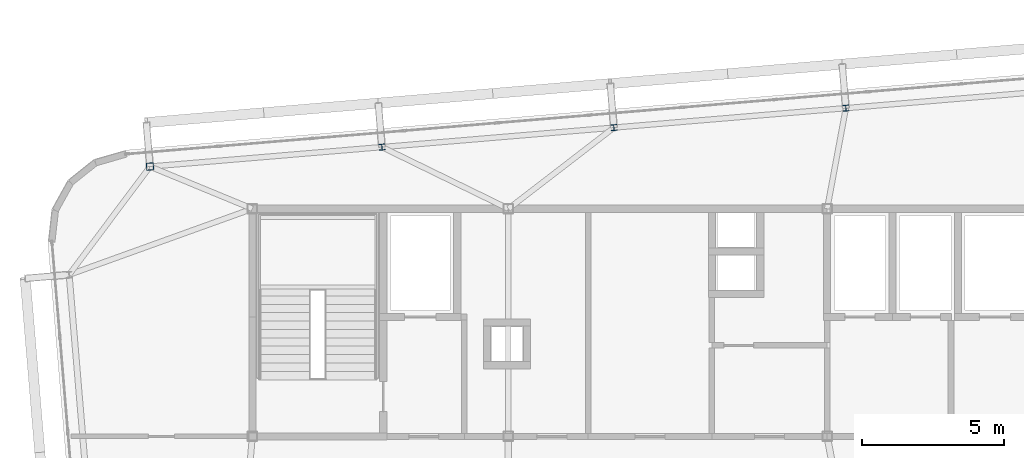
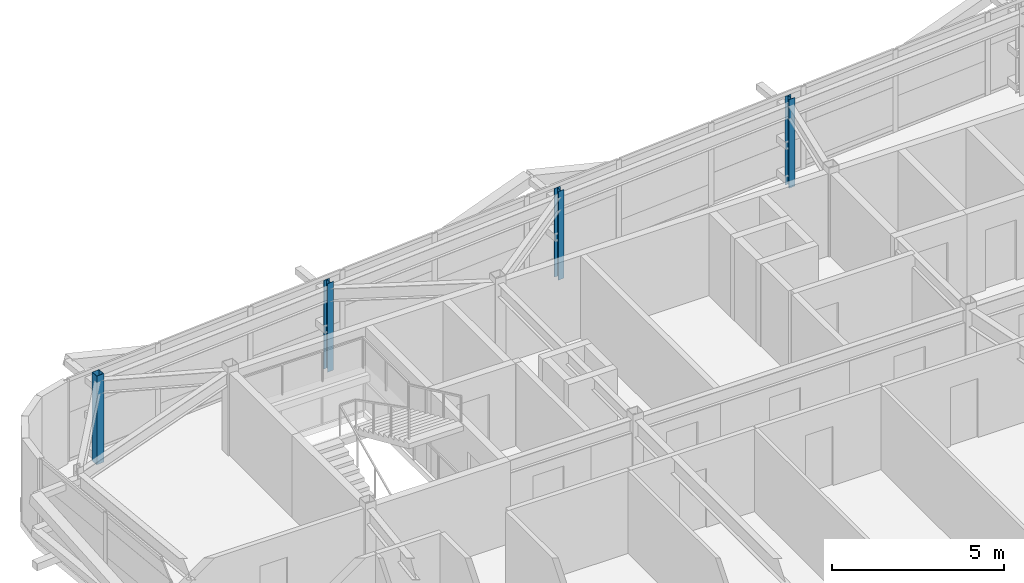
# One storey, part 5 of 46: 4 columns.
"""IFC4 building model written with IfcOpenShell, lengths in metres."""

from ifc_helpers import new_model, si_unit, direction, frame, origin, origin_2d, place, context, subcontext, project, spatial, hollow_rectangle, i_section, extrude, source, transform, mapped, material, material_profile, profile_set, type_object, element, save


model = new_model("IFC4")

# Units and contexts
model_context = context("Model", 3, precision=1e-05, world=origin(), true_north=direction((0.0, 1.0)))
body_context = subcontext(model_context, "Body", "Model", "MODEL_VIEW")
ifc_project = project(units=[si_unit("LENGTHUNIT", "METRE"), si_unit("AREAUNIT", "SQUARE_METRE"), si_unit("VOLUMEUNIT", "CUBIC_METRE"), si_unit("PLANEANGLEUNIT", "RADIAN"), si_unit("MASSUNIT", "GRAM", prefix="KILO")], contexts=[model_context])

# Site, building, storey
site_placement = place(None, origin())
site = spatial("IfcSite", under=ifc_project, at=site_placement, CompositionType="ELEMENT")
building_placement = place(site_placement, origin())
building = spatial("IfcBuilding", under=site, at=building_placement, Name="Taldren Reach Tower", CompositionType="ELEMENT")
storey_placement = place(building_placement, frame((0.0, 0.0, 194.60009765625)))
storey = spatial("IfcBuildingStorey", under=building, at=storey_placement, Name="L59", CompositionType="ELEMENT", Elevation=194.60009765625)

# Columns
ifc_material_1 = material(Name="Steel Gr 350 (C350L0)", Category="steel")
ifc_material_profile_1 = material_profile(ifc_material_1, hollow_rectangle(XDim=0.25, YDim=0.25, WallThickness=0.010009765625, at=origin_2d()), Name="250x250x10.0SHS")
ifc_profile_set_1 = profile_set([ifc_material_profile_1], Name="Steel Gr 350 (C350L0)")
column_type_1 = type_object("IfcColumnType", Name="COL-SHS250", PredefinedType="COLUMN", material=ifc_profile_set_1)
shared_shape_1 = source(origin(), body_context, "Body", "SweptSolid", [
    extrude(hollow_rectangle(XDim=0.25, YDim=0.25, WallThickness=0.010009765625, at=origin_2d()), origin(), (0.0, 0.0, 1.0), 3.14990234375),
])
column_placement = place(storey_placement, frame((15.40380859375, 33.483642578125, 0.0), z_axis=(0.0, 0.0, 1.0), x_axis=(0.99649285925, 0.083677843332, 0.0)))
element("IfcColumn", 1, at=column_placement, inside=storey, type_object=column_type_1, Name="Block B4 perimeter column N1 L59", PredefinedType="COLUMN", context=body_context, shape_type="MappedRepresentation", body=[
    mapped(shared_shape_1, transform((0.0, 0.0, 0.0), scale=1.0)),
])
ifc_material_2 = material(Name="Steel Gr 350 (350PLUS)", Category="steel")
ifc_material_profile_2 = material_profile(ifc_material_2, i_section(OverallWidth=0.205078125, OverallDepth=0.2099609375, WebThickness=0.00927734375, FlangeThickness=0.01416015625, at=origin_2d()), Name="200UC59.5")
ifc_profile_set_2 = profile_set([ifc_material_profile_2], Name="Steel Gr 350 (350PLUS)")
column_type_2 = type_object("IfcColumnType", Name="COL-UC200", PredefinedType="COLUMN", material=ifc_profile_set_2)
shared_shape_2 = source(origin(), body_context, "Body", "SweptSolid", [
    extrude(i_section(OverallWidth=0.205078125, OverallDepth=0.2099609375, WebThickness=0.00927734375, FlangeThickness=0.01416015625, at=origin_2d()), origin(), (0.0, 0.0, 1.0), 3.14990234375),
])
for number, where, z_axis, x_axis, name in (
    (2, (23.55517578125, 34.16796875, 0.0), (0.0, 0.0, 1.0), (0.99649285925, 0.083677843332, 0.0), "Block B4 perimeter column N2 L59"),
    (3, (31.706298828125, 34.8525390625, 0.0), (0.0, 0.0, 1.0), (0.99649285925, 0.083677843332, 0.0), "Block B4 perimeter column N3 L59"),
    (4, (39.857666015625, 35.537109375, 0.0), (0.0, 0.0, 1.0), (0.99649285925, 0.083677843332, 0.0), "Block B4 perimeter column N4 L59"),
):
    element("IfcColumn", number, at=place(storey_placement, frame(where, z_axis=z_axis, x_axis=x_axis)), inside=storey, type_object=column_type_2, Name=name, PredefinedType="COLUMN", context=body_context, shape_type="MappedRepresentation", body=[
        mapped(shared_shape_2, transform((0.0, 0.0, 0.0), scale=1.0)),
    ])

save(model, "model.ifc")
